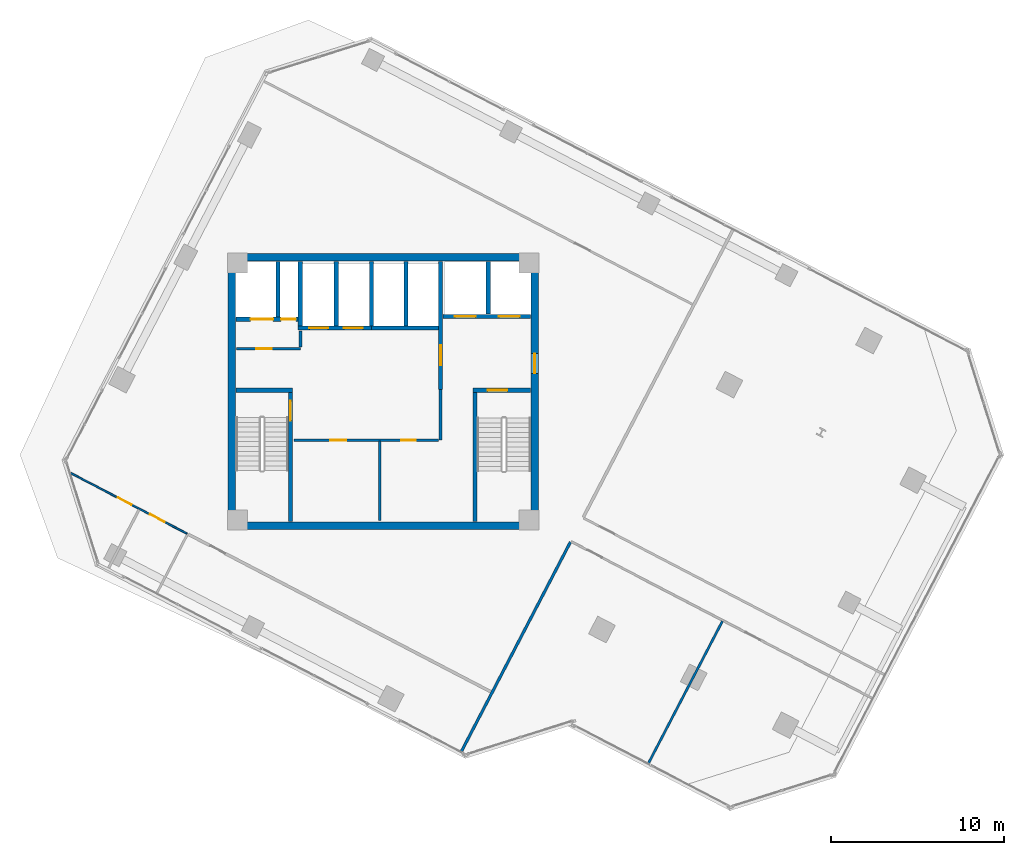
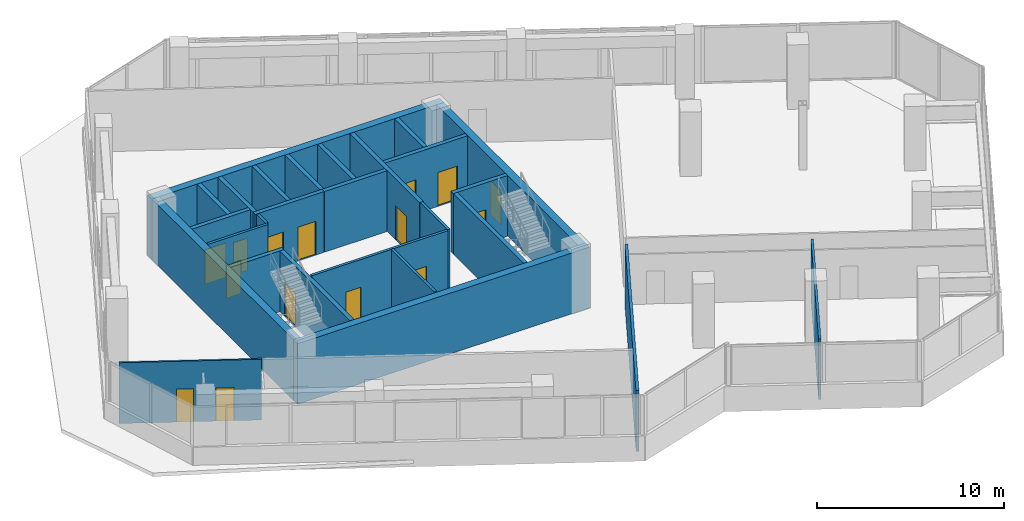
# One storey, part 17 of 22: 27 walls, 15 doors, 15 openings.
"""IFC4 building model written with IfcOpenShell, lengths in metres."""

from ifc_helpers import new_model, si_unit, direction, frame, frame_2d, origin, place, context, subcontext, project, spatial, rectangle, extrude, source, transform, mapped, material, layer, layer_set, type_object, element, fill, save


model = new_model("IFC4")

# Units and contexts
model_context = context("Model", 3, precision=1e-05, world=origin(), true_north=direction((0.0, 1.0)))
body_context = subcontext(model_context, "Body", "Model", "MODEL_VIEW")
ifc_project = project(units=[si_unit("LENGTHUNIT", "METRE"), si_unit("AREAUNIT", "SQUARE_METRE"), si_unit("VOLUMEUNIT", "CUBIC_METRE"), si_unit("PLANEANGLEUNIT", "RADIAN"), si_unit("MASSUNIT", "GRAM", prefix="KILO")], contexts=[model_context])

# Site, building, storey
site_placement = place(None, origin())
site = spatial("IfcSite", under=ifc_project, at=site_placement, CompositionType="ELEMENT")
building_placement = place(site_placement, origin())
building = spatial("IfcBuilding", under=site, at=building_placement, Name="Torre Montelarca", CompositionType="ELEMENT")
storey_placement = place(building_placement, frame((0.0, 0.0, 166.60009765625)))
storey = spatial("IfcBuildingStorey", under=building, at=storey_placement, Name="L37", CompositionType="ELEMENT", Elevation=166.60009765625)

# Wall, opening, door
ifc_material_1 = material(Name="Concrete C40/50", Category="concrete")
ifc_layer_1 = layer(ifc_material_1, 0.25, Name="Concrete C40/50", Category="concrete")
ifc_layer_set_1 = layer_set([ifc_layer_1], Name="Concrete C40/50")
wall_type_1 = type_object("IfcWallType", Name="CW-SHAFT-250", PredefinedType="SHEAR", material=ifc_layer_set_1)
wall_1_placement = place(storey_placement, frame((12.625, 24.4599609375, 0.0), z_axis=(0.0, 0.0, 1.0), x_axis=(0.0, 1.0, 0.0)))
wall_1 = element("IfcWall", 1, at=wall_1_placement, inside=storey, type_object=wall_type_1, Name="L37 Core Shear Wall SH-ST1-E", PredefinedType="SHEAR", context=body_context, shape_type="SweptSolid", body=[
    extrude(rectangle(XDim=7.489990234375, YDim=0.25, at=frame_2d((3.7451171875, 0.0))), origin(), (0.0, 0.0, 1.0), 3.9599609375),
])
opening_1_placement = place(wall_1_placement, frame((5.85009765625, 0.0, 0.0)))
opening_1 = element("IfcOpeningElement", 2, at=opening_1_placement, cuts=wall_1, Name="Opening FD-ST1", PredefinedType="OPENING", context=body_context, shape_type="SweptSolid", body=[
    extrude(rectangle(XDim=1.14990234375, YDim=2.199951171875, at=frame_2d((0.574951171875, 1.10009765625))), frame((0.0, 0.135009765625, 0.0), z_axis=(0.0, -1.0, 0.0), x_axis=(1.0, 0.0, 0.0)), (0.0, 0.0, 1.0), 0.27001953125),
])
ifc_material_2 = material(Name="Galvanized steel fire door", Category="steel")
door_type_1 = type_object("IfcDoorType", Name="DR-STAIR-115", OperationType="NOTDEFINED", PredefinedType="DOOR", material=ifc_material_2)
shared_shape_1 = source(origin(), body_context, "Body", "SweptSolid", [
    extrude(rectangle(XDim=1.14990234375, YDim=2.199951171875, at=frame_2d((0.574951171875, 1.10009765625))), frame((0.0, 0.02490234375, 0.0), z_axis=(0.0, -1.0, 0.0), x_axis=(1.0, 0.0, 0.0)), (0.0, 0.0, 1.0), 0.050048828125),
])
door_1_placement = place(opening_1_placement, origin())
door_1 = element("IfcDoor", 3, at=door_1_placement, inside=storey, type_object=door_type_1, Name="L37 Exit Stair ST1 Fire Door", OperationType="SINGLE_SWING_RIGHT", OverallHeight=2.199951171875, OverallWidth=1.14990234375, PredefinedType="DOOR", context=body_context, shape_type="MappedRepresentation", body=[
    mapped(shared_shape_1, transform((0.0, 0.0, 0.0), scale=1.0)),
])
fill(opening_1, door_1)

# Walls
wall_2_placement = place(storey_placement, frame((9.4599609375, 32.074951171875, 0.0), z_axis=(0.0, 0.0, 1.0), x_axis=(1.0, 0.0, 0.0)))
element("IfcWall", 4, at=wall_2_placement, inside=storey, type_object=wall_type_1, Name="L37 Core Shear Wall SH-ST1-N", PredefinedType="SHEAR", context=body_context, shape_type="SweptSolid", body=[
    extrude(rectangle(XDim=3.2900390625, YDim=0.25, at=frame_2d((1.64501953125, 0.0))), origin(), (0.0, 0.0, 1.0), 3.9599609375),
])
wall_3_placement = place(storey_placement, frame((23.31494140625, 24.4599609375, 0.0), z_axis=(0.0, 0.0, 1.0), x_axis=(0.0, 1.0, 0.0)))
element("IfcWall", 5, at=wall_3_placement, inside=storey, type_object=wall_type_1, Name="L37 Core Shear Wall SH-ST2-W", PredefinedType="SHEAR", context=body_context, shape_type="SweptSolid", body=[
    extrude(rectangle(XDim=7.489990234375, YDim=0.25, at=frame_2d((3.7451171875, 0.0))), origin(), (0.0, 0.0, 1.0), 3.9599609375),
])

# Wall, opening, door
wall_4_placement = place(storey_placement, frame((23.18994140625, 32.074951171875, 0.0), z_axis=(0.0, 0.0, 1.0), x_axis=(1.0, 0.0, 0.0)))
wall_4 = element("IfcWall", 6, at=wall_4_placement, inside=storey, type_object=wall_type_1, Name="L37 Core Shear Wall SH-ST2-N", PredefinedType="SHEAR", context=body_context, shape_type="SweptSolid", body=[
    extrude(rectangle(XDim=3.35009765625, YDim=0.25, at=frame_2d((1.675048828125, 0.0))), origin(), (0.0, 0.0, 1.0), 3.9599609375),
])
opening_2_placement = place(wall_4_placement, frame((0.85009765625, 0.0, 0.0)))
opening_2 = element("IfcOpeningElement", 7, at=opening_2_placement, cuts=wall_4, Name="Opening FD-ST1", PredefinedType="OPENING", context=body_context, shape_type="SweptSolid", body=[
    extrude(rectangle(XDim=1.14990234375, YDim=2.199951171875, at=frame_2d((0.574951171875, 1.10009765625))), frame((0.0, 0.135009765625, 0.0), z_axis=(0.0, -1.0, 0.0), x_axis=(1.0, 0.0, 0.0)), (0.0, 0.0, 1.0), 0.27001953125),
])
door_2_placement = place(opening_2_placement, origin())
door_2 = element("IfcDoor", 8, at=door_2_placement, inside=storey, type_object=door_type_1, Name="L37 Exit Stair ST2 Fire Door", OperationType="SINGLE_SWING_RIGHT", OverallHeight=2.199951171875, OverallWidth=1.14990234375, PredefinedType="DOOR", context=body_context, shape_type="MappedRepresentation", body=[
    mapped(shared_shape_1, transform((0.0, 0.0, 0.0), scale=1.0)),
])
fill(opening_2, door_2)

wall_5_placement = place(storey_placement, frame((21.320068359375, 32.1201171875, 0.0), z_axis=(0.0, 0.0, 1.0), x_axis=(0.0, 1.0, 0.0)))
wall_5 = element("IfcWall", 9, at=wall_5_placement, inside=storey, type_object=wall_type_1, Name="L37 Core Shear Wall SH-FFL-W", PredefinedType="SHEAR", context=body_context, shape_type="SweptSolid", body=[
    extrude(rectangle(XDim=7.419921875, YDim=0.25, at=frame_2d((3.7099609375, 0.0))), origin(), (0.0, 0.0, 1.0), 3.9599609375),
])
opening_3_placement = place(wall_5_placement, frame((1.39990234375, 0.0, 0.0)))
opening_3 = element("IfcOpeningElement", 10, at=opening_3_placement, cuts=wall_5, Name="Opening FD-LB1", PredefinedType="OPENING", context=body_context, shape_type="SweptSolid", body=[
    extrude(rectangle(XDim=1.14990234375, YDim=2.199951171875, at=frame_2d((0.574951171875, 1.10009765625))), frame((0.0, 0.135009765625, 0.0), z_axis=(0.0, -1.0, 0.0), x_axis=(1.0, 0.0, 0.0)), (0.0, 0.0, 1.0), 0.27001953125),
])
ifc_material_3 = material(Name="Acoustic timber-veneered fire door", Category="wood")
door_type_2 = type_object("IfcDoorType", Name="DR-LOBBY-115", OperationType="NOTDEFINED", PredefinedType="DOOR", material=ifc_material_3)
shared_shape_2 = source(origin(), body_context, "Body", "SweptSolid", [
    extrude(rectangle(XDim=1.14990234375, YDim=2.199951171875, at=frame_2d((0.574951171875, 1.10009765625))), frame((0.0, 0.02490234375, 0.0), z_axis=(0.0, -1.0, 0.0), x_axis=(1.0, 0.0, 0.0)), (0.0, 0.0, 1.0), 0.050048828125),
])
door_3_placement = place(opening_3_placement, origin())
door_3 = element("IfcDoor", 11, at=door_3_placement, inside=storey, type_object=door_type_2, Name="L37 Lift Lobby to Firefighting Lobby Smoke Door", OperationType="SINGLE_SWING_LEFT", OverallHeight=2.199951171875, OverallWidth=1.14990234375, PredefinedType="DOOR", context=body_context, shape_type="MappedRepresentation", body=[
    mapped(shared_shape_2, transform((0.0, 0.0, 0.0), scale=1.0)),
])
fill(opening_3, door_3)

# Wall, openings, doors
wall_6_placement = place(storey_placement, frame((9.4599609375, 36.179931640625, 0.0), z_axis=(0.0, 0.0, 1.0), x_axis=(1.0, 0.0, 0.0)))
wall_6 = element("IfcWall", 12, at=wall_6_placement, inside=storey, type_object=wall_type_1, Name="L37 Core Shear Wall SH-SV1-S", PredefinedType="SHEAR", context=body_context, shape_type="SweptSolid", body=[
    extrude(rectangle(XDim=3.7900390625, YDim=0.25, at=frame_2d((1.89501953125, 0.0))), origin(), (0.0, 0.0, 1.0), 3.9599609375),
])
opening_4_placement = place(wall_6_placement, frame((2.6201171875, 0.0, 0.0)))
opening_4 = element("IfcOpeningElement", 13, at=opening_4_placement, cuts=wall_6, Name="Opening FD-085", PredefinedType="OPENING", context=body_context, shape_type="SweptSolid", body=[
    extrude(rectangle(XDim=0.85009765625, YDim=2.10009765625, at=frame_2d((0.425048828125, 1.050048828125))), frame((0.0, 0.135009765625, 0.0), z_axis=(0.0, -1.0, 0.0), x_axis=(1.0, 0.0, 0.0)), (0.0, 0.0, 1.0), 0.27001953125),
])
opening_5_placement = place(wall_6_placement, frame((0.85009765625, 0.0, 0.0)))
opening_5 = element("IfcOpeningElement", 14, at=opening_5_placement, cuts=wall_6, Name="Opening LD-130", PredefinedType="OPENING", context=body_context, shape_type="SweptSolid", body=[
    extrude(rectangle(XDim=1.300048828125, YDim=2.25, at=frame_2d((0.64990234375, 1.125))), frame((0.0, 0.135009765625, 0.0), z_axis=(0.0, -1.0, 0.0), x_axis=(1.0, 0.0, 0.0)), (0.0, 0.0, 1.0), 0.27001953125),
])
ifc_material_4 = material(Name="Steel riser access fire door", Category="steel")
door_type_3 = type_object("IfcDoorType", Name="DR-RISER-085", OperationType="NOTDEFINED", PredefinedType="DOOR", material=ifc_material_4)
shared_shape_3 = source(origin(), body_context, "Body", "SweptSolid", [
    extrude(rectangle(XDim=0.85009765625, YDim=2.10009765625, at=frame_2d((0.425048828125, 1.050048828125))), frame((0.0, 0.02490234375, 0.0), z_axis=(0.0, -1.0, 0.0), x_axis=(1.0, 0.0, 0.0)), (0.0, 0.0, 1.0), 0.050048828125),
])
door_4_placement = place(opening_4_placement, origin())
door_4 = element("IfcDoor", 15, at=door_4_placement, inside=storey, type_object=door_type_3, Name="L37 Electrical Riser Shaft Access Door", OperationType="SINGLE_SWING_RIGHT", OverallHeight=2.10009765625, OverallWidth=0.85009765625, PredefinedType="DOOR", context=body_context, shape_type="MappedRepresentation", body=[
    mapped(shared_shape_3, transform((0.0, 0.0, 0.0), scale=1.0)),
])
fill(opening_4, door_4)
ifc_material_5 = material(Name="Brushed stainless steel AISI 316", Category="steel")
door_type_4 = type_object("IfcDoorType", Name="DR-LIFT-130", OperationType="SLIDING_TO_LEFT", PredefinedType="DOOR", material=ifc_material_5)
shared_shape_4 = source(origin(), body_context, "Body", "SweptSolid", [
    extrude(rectangle(XDim=1.300048828125, YDim=2.25, at=frame_2d((0.64990234375, 1.125))), frame((0.0, 0.02490234375, 0.0), z_axis=(0.0, -1.0, 0.0), x_axis=(1.0, 0.0, 0.0)), (0.0, 0.0, 1.0), 0.050048828125),
])
door_5_placement = place(opening_5_placement, origin())
door_5 = element("IfcDoor", 16, at=door_5_placement, inside=storey, type_object=door_type_4, Name="L37 Lift Landing Sliding Door SV-1", OperationType="SLIDING_TO_LEFT", OverallHeight=2.25, OverallWidth=1.300048828125, PredefinedType="DOOR", context=body_context, shape_type="MappedRepresentation", body=[
    mapped(shared_shape_4, transform((0.0, 0.0, 0.0), scale=1.0)),
])
fill(opening_5, door_5)

# Wall
wall_7_placement = place(storey_placement, frame((11.89990234375, 36.31005859375, 0.0), z_axis=(0.0, 0.0, 1.0), x_axis=(0.0, 1.0, 0.0)))
element("IfcWall", 17, at=wall_7_placement, inside=storey, type_object=wall_type_1, Name="L37 Core Shear Wall SH-SV1-E", PredefinedType="SHEAR", context=body_context, shape_type="SweptSolid", body=[
    extrude(rectangle(XDim=3.22998046875, YDim=0.25, at=frame_2d((1.614990234375, 0.0))), origin(), (0.0, 0.0, 1.0), 3.9599609375),
])

# Wall, openings, doors
wall_8_placement = place(storey_placement, frame((21.449951171875, 36.35009765625, 0.0), z_axis=(0.0, 0.0, 1.0), x_axis=(1.0, 0.0, 0.0)))
wall_8 = element("IfcWall", 18, at=wall_8_placement, inside=storey, type_object=wall_type_1, Name="L37 Core Shear Wall SH-FF-S", PredefinedType="SHEAR", context=body_context, shape_type="SweptSolid", body=[
    extrude(rectangle(XDim=5.090087890625, YDim=0.25, at=frame_2d((2.544921875, 0.0))), origin(), (0.0, 0.0, 1.0), 3.9599609375),
])
opening_6_placement = place(wall_8_placement, frame((0.699951171875, 0.0, 0.0)))
opening_6 = element("IfcOpeningElement", 19, at=opening_6_placement, cuts=wall_8, Name="Opening LD-120", PredefinedType="OPENING", context=body_context, shape_type="SweptSolid", body=[
    extrude(rectangle(XDim=1.199951171875, YDim=2.199951171875, at=frame_2d((0.60009765625, 1.10009765625))), frame((0.0, 0.135009765625, 0.0), z_axis=(0.0, -1.0, 0.0), x_axis=(1.0, 0.0, 0.0)), (0.0, 0.0, 1.0), 0.27001953125),
])
opening_7_placement = place(wall_8_placement, frame((3.25, 0.0, 0.0)))
opening_7 = element("IfcOpeningElement", 20, at=opening_7_placement, cuts=wall_8, Name="Opening LD-120", PredefinedType="OPENING", context=body_context, shape_type="SweptSolid", body=[
    extrude(rectangle(XDim=1.199951171875, YDim=2.199951171875, at=frame_2d((0.60009765625, 1.10009765625))), frame((0.0, 0.135009765625, 0.0), z_axis=(0.0, -1.0, 0.0), x_axis=(1.0, 0.0, 0.0)), (0.0, 0.0, 1.0), 0.27001953125),
])
door_type_5 = type_object("IfcDoorType", Name="DR-LIFT-120", OperationType="SLIDING_TO_RIGHT", PredefinedType="DOOR", material=ifc_material_5)
shared_shape_5 = source(origin(), body_context, "Body", "SweptSolid", [
    extrude(rectangle(XDim=1.199951171875, YDim=2.199951171875, at=frame_2d((0.60009765625, 1.10009765625))), frame((0.0, 0.02490234375, 0.0), z_axis=(0.0, -1.0, 0.0), x_axis=(1.0, 0.0, 0.0)), (0.0, 0.0, 1.0), 0.050048828125),
])
door_6_placement = place(opening_6_placement, origin())
door_6 = element("IfcDoor", 21, at=door_6_placement, inside=storey, type_object=door_type_5, Name="L37 Lift Landing Sliding Door FF-1", OperationType="SLIDING_TO_LEFT", OverallHeight=2.199951171875, OverallWidth=1.199951171875, PredefinedType="DOOR", context=body_context, shape_type="MappedRepresentation", body=[
    mapped(shared_shape_5, transform((0.0, 0.0, 0.0), scale=1.0)),
])
fill(opening_6, door_6)
door_7_placement = place(opening_7_placement, origin())
door_7 = element("IfcDoor", 22, at=door_7_placement, inside=storey, type_object=door_type_5, Name="L37 Lift Landing Sliding Door FF-2", OperationType="SLIDING_TO_RIGHT", OverallHeight=2.199951171875, OverallWidth=1.199951171875, PredefinedType="DOOR", context=body_context, shape_type="MappedRepresentation", body=[
    mapped(shared_shape_5, transform((0.0, 0.0, 0.0), scale=1.0)),
])
fill(opening_7, door_7)

# Wall
wall_9_placement = place(storey_placement, frame((24.080078125, 36.47998046875, 0.0), z_axis=(0.0, 0.0, 1.0), x_axis=(0.0, 1.0, 0.0)))
element("IfcWall", 23, at=wall_9_placement, inside=storey, type_object=wall_type_1, Name="L37 Core Shear Wall SH-FF-M", PredefinedType="SHEAR", context=body_context, shape_type="SweptSolid", body=[
    extrude(rectangle(XDim=3.06005859375, YDim=0.25, at=frame_2d((1.530029296875, 0.0))), origin(), (0.0, 0.0, 1.0), 3.9599609375),
])

# Wall, openings, doors
wall_10_placement = place(storey_placement, frame((13.06005859375, 35.679931640625, 0.0), z_axis=(0.0, 0.0, 1.0), x_axis=(1.0, 0.0, 0.0)))
wall_10 = element("IfcWall", 24, at=wall_10_placement, inside=storey, type_object=wall_type_1, Name="L37 Core Shear Wall SH-PLM-S", PredefinedType="SHEAR", context=body_context, shape_type="SweptSolid", body=[
    extrude(rectangle(XDim=4.25, YDim=0.25, at=frame_2d((2.125, 0.0))), origin(), (0.0, 0.0, 1.0), 3.9599609375),
])
opening_8_placement = place(wall_10_placement, frame((0.64990234375, 0.0, 0.0)))
opening_8 = element("IfcOpeningElement", 25, at=opening_8_placement, cuts=wall_10, Name="Opening LD-110", PredefinedType="OPENING", context=body_context, shape_type="SweptSolid", body=[
    extrude(rectangle(XDim=1.10009765625, YDim=2.199951171875, at=frame_2d((0.550048828125, 1.10009765625))), frame((0.0, 0.135009765625, 0.0), z_axis=(0.0, -1.0, 0.0), x_axis=(1.0, 0.0, 0.0)), (0.0, 0.0, 1.0), 0.27001953125),
])
opening_9_placement = place(wall_10_placement, frame((2.64990234375, 0.0, 0.0)))
opening_9 = element("IfcOpeningElement", 26, at=opening_9_placement, cuts=wall_10, Name="Opening LD-110", PredefinedType="OPENING", context=body_context, shape_type="SweptSolid", body=[
    extrude(rectangle(XDim=1.10009765625, YDim=2.199951171875, at=frame_2d((0.550048828125, 1.10009765625))), frame((0.0, 0.135009765625, 0.0), z_axis=(0.0, -1.0, 0.0), x_axis=(1.0, 0.0, 0.0)), (0.0, 0.0, 1.0), 0.27001953125),
])
door_type_6 = type_object("IfcDoorType", Name="DR-LIFT-110", OperationType="SLIDING_TO_LEFT", PredefinedType="DOOR", material=ifc_material_5)
shared_shape_6 = source(origin(), body_context, "Body", "SweptSolid", [
    extrude(rectangle(XDim=1.10009765625, YDim=2.199951171875, at=frame_2d((0.550048828125, 1.10009765625))), frame((0.0, 0.02490234375, 0.0), z_axis=(0.0, -1.0, 0.0), x_axis=(1.0, 0.0, 0.0)), (0.0, 0.0, 1.0), 0.050048828125),
])
door_8_placement = place(opening_8_placement, origin())
door_8 = element("IfcDoor", 27, at=door_8_placement, inside=storey, type_object=door_type_6, Name="L37 Lift Landing Sliding Door PL-M1", OperationType="SLIDING_TO_LEFT", OverallHeight=2.199951171875, OverallWidth=1.10009765625, PredefinedType="DOOR", context=body_context, shape_type="MappedRepresentation", body=[
    mapped(shared_shape_6, transform((0.0, 0.0, 0.0), scale=1.0)),
])
fill(opening_8, door_8)
door_9_placement = place(opening_9_placement, origin())
door_9 = element("IfcDoor", 28, at=door_9_placement, inside=storey, type_object=door_type_6, Name="L37 Lift Landing Sliding Door PL-M2", OperationType="SLIDING_TO_RIGHT", OverallHeight=2.199951171875, OverallWidth=1.10009765625, PredefinedType="DOOR", context=body_context, shape_type="MappedRepresentation", body=[
    mapped(shared_shape_6, transform((0.0, 0.0, 0.0), scale=1.0)),
])
fill(opening_9, door_9)

# Walls
for number, where, z_axis, x_axis, name in (
    (29, (13.179931640625, 35.81005859375, 0.0), (0.0, 0.0, 1.0), (0.0, 1.0, 0.0), "L37 Core Shear Wall SH-PLM-W"),
    (30, (15.280029296875, 35.81005859375, 0.0), (0.0, 0.0, 1.0), (0.0, 1.0, 0.0), "L37 Core Shear Wall SH-PLM-M"),
):
    element("IfcWall", number, at=place(storey_placement, frame(where, z_axis=z_axis, x_axis=x_axis)), inside=storey, type_object=wall_type_1, Name=name, PredefinedType="SHEAR", context=body_context, shape_type="SweptSolid", body=[
        extrude(rectangle(XDim=3.72998046875, YDim=0.25, at=frame_2d((1.864990234375, 0.0))), origin(), (0.0, 0.0, 1.0), 3.9599609375),
    ])
wall_11_placement = place(storey_placement, frame((17.320068359375, 35.679931640625, 0.0), z_axis=(0.0, 0.0, 1.0), x_axis=(1.0, 0.0, 0.0)))
element("IfcWall", 31, at=wall_11_placement, inside=storey, type_object=wall_type_1, Name="L37 Core Shear Wall SH-PLH-S", PredefinedType="SHEAR", context=body_context, shape_type="SweptSolid", body=[
    extrude(rectangle(XDim=3.869873046875, YDim=0.25, at=frame_2d((1.93505859375, 0.0))), origin(), (0.0, 0.0, 1.0), 3.9599609375),
])
for number, where, z_axis, x_axis, name in (
    (32, (17.320068359375, 35.81005859375, 0.0), (0.0, 0.0, 1.0), (0.0, 1.0, 0.0), "L37 Core Shear Wall SH-PLH-W"),
    (33, (19.320068359375, 35.81005859375, 0.0), (0.0, 0.0, 1.0), (0.0, 1.0, 0.0), "L37 Core Shear Wall SH-PLH-M"),
):
    element("IfcWall", number, at=place(storey_placement, frame(where, z_axis=z_axis, x_axis=x_axis)), inside=storey, type_object=wall_type_1, Name=name, PredefinedType="SHEAR", context=body_context, shape_type="SweptSolid", body=[
        extrude(rectangle(XDim=3.72998046875, YDim=0.25, at=frame_2d((1.864990234375, 0.0))), origin(), (0.0, 0.0, 1.0), 3.9599609375),
    ])
ifc_material_6 = material(Name="Concrete C55/67", Category="concrete")
ifc_layer_2 = layer(ifc_material_6, 0.449951171875, Name="Concrete C55/67", Category="concrete")
ifc_layer_set_2 = layer_set([ifc_layer_2], Name="Concrete C55/67")
wall_type_2 = type_object("IfcWallType", Name="CW-SHEAR-450", PredefinedType="SHEAR", material=ifc_layer_set_2)
wall_12_placement = place(storey_placement, frame((9.22509765625, 24.449951171875, 0.0), z_axis=(0.0, 0.0, 1.0), x_axis=(0.0, 1.0, 0.0)))
element("IfcWall", 34, at=wall_12_placement, inside=storey, type_object=wall_type_2, Name="L37 Core Shear Wall CW-W", PredefinedType="SHEAR", context=body_context, shape_type="SweptSolid", body=[
    extrude(rectangle(XDim=15.10009765625, YDim=0.449951171875, at=frame_2d((7.550048828125, 0.0))), origin(), (0.0, 0.0, 1.0), 3.9599609375),
])

# Wall, opening, door
wall_13_placement = place(storey_placement, frame((26.77490234375, 24.449951171875, 0.0), z_axis=(0.0, 0.0, 1.0), x_axis=(0.0, 1.0, 0.0)))
wall_13 = element("IfcWall", 35, at=wall_13_placement, inside=storey, type_object=wall_type_2, Name="L37 Core Shear Wall CW-E", PredefinedType="SHEAR", context=body_context, shape_type="SweptSolid", body=[
    extrude(rectangle(XDim=15.10009765625, YDim=0.449951171875, at=frame_2d((7.550048828125, 0.0))), origin(), (0.0, 0.0, 1.0), 3.9599609375),
])
opening_10_placement = place(wall_13_placement, frame((8.60009765625, 0.0, 0.0)))
opening_10 = element("IfcOpeningElement", 36, at=opening_10_placement, cuts=wall_13, Name="Opening FD-LB1", PredefinedType="OPENING", context=body_context, shape_type="SweptSolid", body=[
    extrude(rectangle(XDim=1.14990234375, YDim=2.199951171875, at=frame_2d((0.574951171875, 1.10009765625))), frame((0.0, 0.23486328125, 0.0), z_axis=(0.0, -1.0, 0.0), x_axis=(1.0, 0.0, 0.0)), (0.0, 0.0, 1.0), 0.469970703125),
])
door_10_placement = place(opening_10_placement, origin())
door_10 = element("IfcDoor", 37, at=door_10_placement, inside=storey, type_object=door_type_2, Name="L37 Firefighting Lift Lobby Corridor Fire Door", OperationType="SINGLE_SWING_RIGHT", OverallHeight=2.199951171875, OverallWidth=1.14990234375, PredefinedType="DOOR", context=body_context, shape_type="MappedRepresentation", body=[
    mapped(shared_shape_2, transform((0.0, 0.0, 0.0), scale=1.0)),
])
fill(opening_10, door_10)

# Walls
for number, where, z_axis, x_axis, name in (
    (38, (9.0, 24.22509765625, 0.0), (0.0, 0.0, 1.0), (1.0, 0.0, 0.0), "L37 Core Shear Wall CW-S1"),
    (39, (9.0, 39.77490234375, 0.0), (0.0, 0.0, 1.0), (1.0, 0.0, 0.0), "L37 Core Shear Wall CW-N1"),
):
    element("IfcWall", number, at=place(storey_placement, frame(where, z_axis=z_axis, x_axis=x_axis)), inside=storey, type_object=wall_type_2, Name=name, PredefinedType="SHEAR", context=body_context, shape_type="SweptSolid", body=[
        extrude(rectangle(XDim=18.0, YDim=0.449951171875, at=frame_2d((9.0, 0.0))), origin(), (0.0, 0.0, 1.0), 3.9599609375),
    ])

# Wall, opening, door
ifc_material_7 = material(Name="Gypsum plasterboard on steel stud", Category="steel")
ifc_layer_3 = layer(ifc_material_7, 0.159912109375, Name="Gypsum plasterboard on steel stud", Category="steel")
ifc_layer_set_3 = layer_set([ifc_layer_3], Name="Gypsum plasterboard on steel stud")
wall_type_3 = type_object("IfcWallType", Name="PW-FIRE-160", PredefinedType="PARTITIONING", material=ifc_layer_set_3)
wall_14_placement = place(storey_placement, frame((9.489990234375, 34.47998046875, 0.0), z_axis=(0.0, 0.0, 1.0), x_axis=(1.0, 0.0, 0.0)))
wall_14 = element("IfcWall", 40, at=wall_14_placement, inside=storey, type_object=wall_type_3, Name="L37 Interior Partition CW-L37-SVS", PredefinedType="PARTITIONING", context=body_context, shape_type="SweptSolid", body=[
    extrude(rectangle(XDim=3.699951171875, YDim=0.159912109375, at=frame_2d((1.85009765625, 0.0))), origin(), (0.0, 0.0, 1.0), 3.9599609375),
])
opening_11_placement = place(wall_14_placement, frame((1.14990234375, 0.0, 0.0)))
opening_11 = element("IfcOpeningElement", 41, at=opening_11_placement, cuts=wall_14, Name="Opening FD-090", PredefinedType="OPENING", context=body_context, shape_type="SweptSolid", body=[
    extrude(rectangle(XDim=0.89990234375, YDim=2.14990234375, at=frame_2d((0.449951171875, 1.074951171875))), frame((0.0, 0.08984375, 0.0), z_axis=(0.0, -1.0, 0.0), x_axis=(1.0, 0.0, 0.0)), (0.0, 0.0, 1.0), 0.179931640625),
])
ifc_material_8 = material(Name="Steel service fire door", Category="steel")
door_type_7 = type_object("IfcDoorType", Name="DR-FIRE-090", OperationType="NOTDEFINED", PredefinedType="DOOR", material=ifc_material_8)
shared_shape_7 = source(origin(), body_context, "Body", "SweptSolid", [
    extrude(rectangle(XDim=0.89990234375, YDim=2.14990234375, at=frame_2d((0.449951171875, 1.074951171875))), frame((0.0, 0.02490234375, 0.0), z_axis=(0.0, -1.0, 0.0), x_axis=(1.0, 0.0, 0.0)), (0.0, 0.0, 1.0), 0.050048828125),
])
door_11_placement = place(opening_11_placement, origin())
door_11 = element("IfcDoor", 42, at=door_11_placement, inside=storey, type_object=door_type_7, Name="L37 Interior Door 01", OperationType="SINGLE_SWING_RIGHT", OverallHeight=2.14990234375, OverallWidth=0.89990234375, PredefinedType="DOOR", context=body_context, shape_type="MappedRepresentation", body=[
    mapped(shared_shape_7, transform((0.0, 0.0, 0.0), scale=1.0)),
])
fill(opening_11, door_11)

# Wall
wall_15_placement = place(storey_placement, frame((13.199951171875, 34.570068359375, 0.0), z_axis=(0.0, 0.0, 1.0), x_axis=(0.0, 1.0, 0.0)))
element("IfcWall", 43, at=wall_15_placement, inside=storey, type_object=wall_type_3, Name="L37 Interior Partition CW-L37-SVE", PredefinedType="PARTITIONING", context=body_context, shape_type="SweptSolid", body=[
    extrude(rectangle(XDim=0.93994140625, YDim=0.159912109375, at=frame_2d((0.469970703125, 0.0))), origin(), (0.0, 0.0, 1.0), 3.9599609375),
])

# Wall, openings, doors
wall_16_placement = place(storey_placement, frame((12.840087890625, 29.179931640625, 0.0), z_axis=(0.0, 0.0, 1.0), x_axis=(1.0, 0.0, 0.0)))
wall_16 = element("IfcWall", 44, at=wall_16_placement, inside=storey, type_object=wall_type_3, Name="L37 Interior Partition CW-L37-FRDN", PredefinedType="PARTITIONING", context=body_context, shape_type="SweptSolid", body=[
    extrude(rectangle(XDim=8.369873046875, YDim=0.159912109375, at=frame_2d((4.18505859375, 0.0))), origin(), (0.0, 0.0, 1.0), 3.9599609375),
])
opening_12_placement = place(wall_16_placement, frame((2.10009765625, 0.0, 0.0)))
opening_12 = element("IfcOpeningElement", 45, at=opening_12_placement, cuts=wall_16, Name="Opening FD-090", PredefinedType="OPENING", context=body_context, shape_type="SweptSolid", body=[
    extrude(rectangle(XDim=0.89990234375, YDim=2.14990234375, at=frame_2d((0.449951171875, 1.074951171875))), frame((0.0, 0.08984375, 0.0), z_axis=(0.0, -1.0, 0.0), x_axis=(1.0, 0.0, 0.0)), (0.0, 0.0, 1.0), 0.179931640625),
])
opening_13_placement = place(wall_16_placement, frame((6.199951171875, 0.0, 0.0)))
opening_13 = element("IfcOpeningElement", 46, at=opening_13_placement, cuts=wall_16, Name="Opening FD-085", PredefinedType="OPENING", context=body_context, shape_type="SweptSolid", body=[
    extrude(rectangle(XDim=0.85009765625, YDim=2.10009765625, at=frame_2d((0.425048828125, 1.050048828125))), frame((0.0, 0.08984375, 0.0), z_axis=(0.0, -1.0, 0.0), x_axis=(1.0, 0.0, 0.0)), (0.0, 0.0, 1.0), 0.179931640625),
])
door_12_placement = place(opening_13_placement, origin())
door_12 = element("IfcDoor", 47, at=door_12_placement, inside=storey, type_object=door_type_3, Name="L37 Interior Door 03", OperationType="SINGLE_SWING_LEFT", OverallHeight=2.10009765625, OverallWidth=0.85009765625, PredefinedType="DOOR", context=body_context, shape_type="MappedRepresentation", body=[
    mapped(shared_shape_3, transform((0.0, 0.0, 0.0), scale=1.0)),
])
fill(opening_13, door_12)
door_13_placement = place(opening_12_placement, origin())
door_13 = element("IfcDoor", 48, at=door_13_placement, inside=storey, type_object=door_type_7, Name="L37 Interior Door 02", OperationType="SINGLE_SWING_RIGHT", OverallHeight=2.14990234375, OverallWidth=0.89990234375, PredefinedType="DOOR", context=body_context, shape_type="MappedRepresentation", body=[
    mapped(shared_shape_7, transform((0.0, 0.0, 0.0), scale=1.0)),
])
fill(opening_12, door_13)

# Walls
wall_17_placement = place(storey_placement, frame((17.800048828125, 24.5400390625, 0.0), z_axis=(0.0, 0.0, 1.0), x_axis=(0.0, 1.0, 0.0)))
element("IfcWall", 49, at=wall_17_placement, inside=storey, type_object=wall_type_3, Name="L37 Interior Partition CW-L37-FRD1", PredefinedType="PARTITIONING", context=body_context, shape_type="SweptSolid", body=[
    extrude(rectangle(XDim=4.599853515625, YDim=0.159912109375, at=frame_2d((2.2998046875, 0.0))), origin(), (0.0, 0.0, 1.0), 3.9599609375),
])
wall_18_placement = place(storey_placement, frame((21.320068359375, 29.18994140625, 0.0), z_axis=(0.0, 0.0, 1.0), x_axis=(0.0, 1.0, 0.0)))
element("IfcWall", 50, at=wall_18_placement, inside=storey, type_object=wall_type_3, Name="L37 Interior Partition CW-L37-FRE", PredefinedType="PARTITIONING", context=body_context, shape_type="SweptSolid", body=[
    extrude(rectangle(XDim=2.920166015625, YDim=0.159912109375, at=frame_2d((1.4599609375, 0.0))), origin(), (0.0, 0.0, 1.0), 3.9599609375),
])
wall_19_placement = place(storey_placement, frame((22.5283203125, 11.1494140625, 0.0), z_axis=(0.0, 0.0, 1.0), x_axis=(0.461766825398, 0.887001352289, 0.0)))
element("IfcWall", 51, at=wall_19_placement, inside=storey, type_object=wall_type_3, Name="L37 Interior Partition W-L37-ECS", PredefinedType="PARTITIONING", context=body_context, shape_type="SweptSolid", body=[
    extrude(rectangle(XDim=13.679931640625, YDim=0.159912109375, at=frame_2d((6.83984375, 0.0))), origin(), (0.0, 0.0, 1.0), 3.9599609375),
])

# Wall, openings, doors
ifc_material_9 = material(Name="Acoustic laminated glass partition", Category="glass")
ifc_layer_4 = layer(ifc_material_9, 0.10009765625, Name="Acoustic laminated glass partition", Category="glass")
ifc_layer_set_4 = layer_set([ifc_layer_4], Name="Acoustic laminated glass partition")
wall_type_4 = type_object("IfcWallType", Name="PW-GLAZ-100", PredefinedType="PARTITIONING", material=ifc_layer_set_4)
wall_20_placement = place(storey_placement, frame((-0.114990234375, 27.277099609375, 0.0), z_axis=(0.0, 0.0, 1.0), x_axis=(0.887004800346, -0.461760202012, 0.0)))
wall_20 = element("IfcWall", 52, at=wall_20_placement, inside=storey, type_object=wall_type_4, Name="L37 Interior Partition W-L37-WCN", PredefinedType="PARTITIONING", context=body_context, shape_type="SweptSolid", body=[
    extrude(rectangle(XDim=7.601806640625, YDim=0.10009765625, at=frame_2d((3.80078125, 0.0))), origin(), (0.0, 0.0, 1.0), 3.9599609375),
])
opening_14_placement = place(wall_20_placement, frame((3.080078125, 0.0, 0.0)))
opening_14 = element("IfcOpeningElement", 53, at=opening_14_placement, cuts=wall_20, Name="Opening ID-090", PredefinedType="OPENING", context=body_context, shape_type="SweptSolid", body=[
    extrude(rectangle(XDim=0.89990234375, YDim=2.14990234375, at=frame_2d((0.449951171875, 1.074951171875))), frame((0.0, 0.06005859375, 0.0), z_axis=(0.0, -1.0, 0.0), x_axis=(1.0, 0.0, 0.0)), (0.0, 0.0, 1.0), 0.1201171875),
])
opening_15_placement = place(wall_20_placement, frame((5.179931640625, 0.0, 0.0)))
opening_15 = element("IfcOpeningElement", 54, at=opening_15_placement, cuts=wall_20, Name="Opening ID-095", PredefinedType="OPENING", context=body_context, shape_type="SweptSolid", body=[
    extrude(rectangle(XDim=0.949951171875, YDim=2.14990234375, at=frame_2d((0.47509765625, 1.074951171875))), frame((0.0, 0.06005859375, 0.0), z_axis=(0.0, -1.0, 0.0), x_axis=(1.0, 0.0, 0.0)), (0.0, 0.0, 1.0), 0.1201171875),
])
ifc_material_10 = material(Name="Hardwood acoustic timber veneer", Category="wood")
door_type_8 = type_object("IfcDoorType", Name="DR-INT-090", OperationType="NOTDEFINED", PredefinedType="DOOR", material=ifc_material_10)
shared_shape_8 = source(origin(), body_context, "Body", "SweptSolid", [
    extrude(rectangle(XDim=0.89990234375, YDim=2.14990234375, at=frame_2d((0.449951171875, 1.074951171875))), frame((0.0, 0.02490234375, 0.0), z_axis=(0.0, -1.0, 0.0), x_axis=(1.0, 0.0, 0.0)), (0.0, 0.0, 1.0), 0.050048828125),
])
door_14_placement = place(opening_14_placement, origin())
door_14 = element("IfcDoor", 55, at=door_14_placement, inside=storey, type_object=door_type_8, Name="L37 Interior Door 04", OperationType="SINGLE_SWING_LEFT", OverallHeight=2.14990234375, OverallWidth=0.89990234375, PredefinedType="DOOR", context=body_context, shape_type="MappedRepresentation", body=[
    mapped(shared_shape_8, transform((0.0, 0.0, 0.0), scale=1.0)),
])
fill(opening_14, door_14)
door_type_9 = type_object("IfcDoorType", Name="DR-INT-095", OperationType="NOTDEFINED", PredefinedType="DOOR", material=ifc_material_10)
shared_shape_9 = source(origin(), body_context, "Body", "SweptSolid", [
    extrude(rectangle(XDim=0.949951171875, YDim=2.14990234375, at=frame_2d((0.47509765625, 1.074951171875))), frame((0.0, 0.02490234375, 0.0), z_axis=(0.0, -1.0, 0.0), x_axis=(1.0, 0.0, 0.0)), (0.0, 0.0, 1.0), 0.050048828125),
])
door_15_placement = place(opening_15_placement, origin())
door_15 = element("IfcDoor", 56, at=door_15_placement, inside=storey, type_object=door_type_9, Name="L37 Interior Door 05", OperationType="SINGLE_SWING_RIGHT", OverallHeight=2.14990234375, OverallWidth=0.949951171875, PredefinedType="DOOR", context=body_context, shape_type="MappedRepresentation", body=[
    mapped(shared_shape_9, transform((0.0, 0.0, 0.0), scale=1.0)),
])
fill(opening_15, door_15)

# Wall
ifc_layer_5 = layer(ifc_material_7, 0.135009765625, Name="Gypsum plasterboard on steel stud", Category="steel")
ifc_layer_set_5 = layer_set([ifc_layer_5], Name="Gypsum plasterboard on steel stud")
wall_type_5 = type_object("IfcWallType", Name="PW-PART-135", PredefinedType="PARTITIONING", material=ifc_layer_set_5)
wall_21_placement = place(storey_placement, frame((33.3681640625, 10.466796875, 0.0), z_axis=(0.0, 0.0, 1.0), x_axis=(0.461728758034, 0.887021168859, 0.0)))
element("IfcWall", 57, at=wall_21_placement, inside=storey, type_object=wall_type_5, Name="L37 Interior Partition W-L37-SEDIV-1", PredefinedType="PARTITIONING", context=body_context, shape_type="SweptSolid", body=[
    extrude(rectangle(XDim=9.280029296875, YDim=0.135009765625, at=frame_2d((4.64013671875, 0.0))), origin(), (0.0, 0.0, 1.0), 3.9599609375),
])

save(model, "model.ifc")
